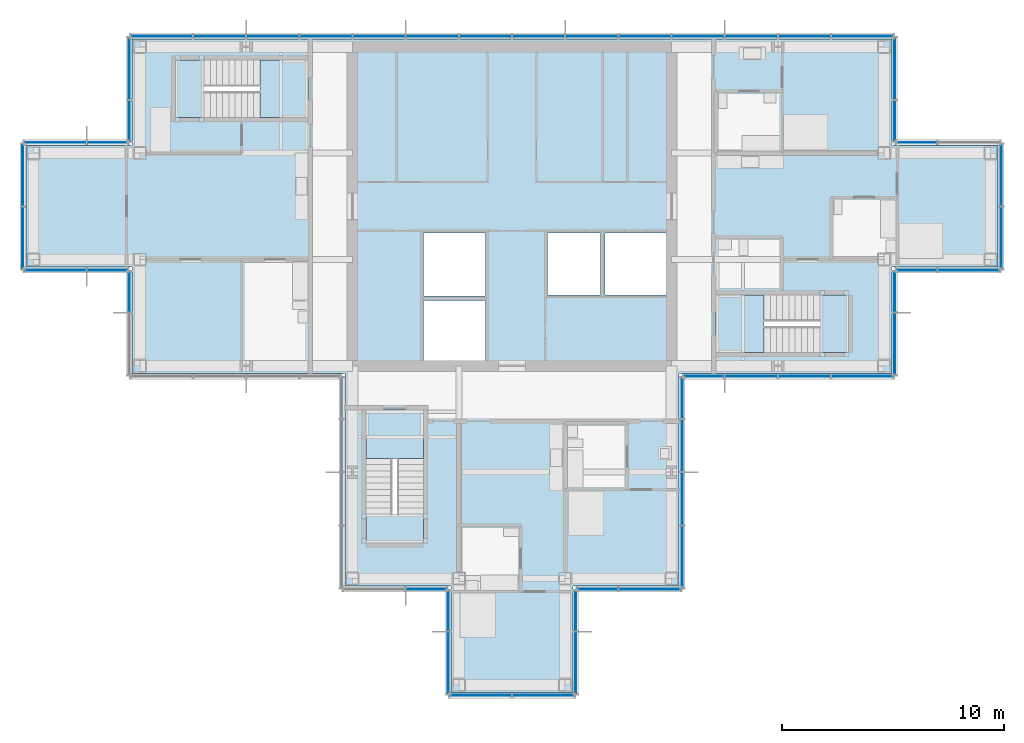
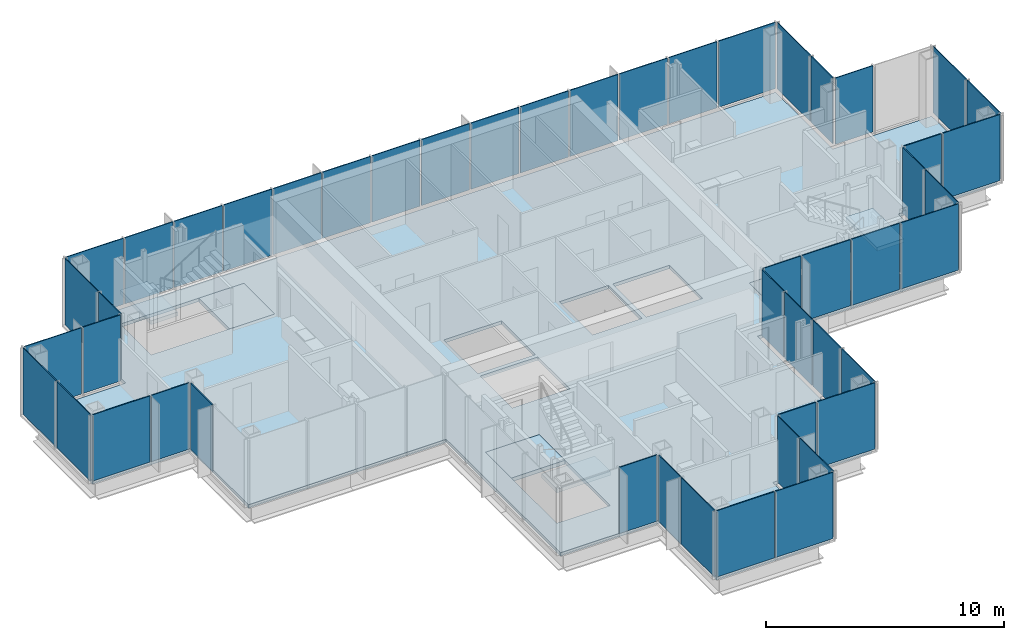
# One storey, part 9 of 15: 49 plates, 7 slabs, 21 elements without a shape of their own.
"""IFC4 building model written with IfcOpenShell, lengths in metres."""

from ifc_helpers import new_model, si_unit, direction, frame, origin, origin_2d, place, context, subcontext, project, spatial, polyline, rectangle, outline, extrude, material, layer, layer_set, type_object, element, aggregate, save


model = new_model("IFC4")

# Units and contexts
model_context = context("Model", 3, precision=1e-05, world=origin(), true_north=direction((0.0, 1.0)))
body_context = subcontext(model_context, "Body", "Model", "MODEL_VIEW")
ifc_project = project(units=[si_unit("LENGTHUNIT", "METRE"), si_unit("AREAUNIT", "SQUARE_METRE"), si_unit("VOLUMEUNIT", "CUBIC_METRE"), si_unit("PLANEANGLEUNIT", "RADIAN"), si_unit("MASSUNIT", "GRAM", prefix="KILO")], contexts=[model_context])

# Site, building, storey
site_placement = place(None, origin())
site = spatial("IfcSite", under=ifc_project, at=site_placement, CompositionType="ELEMENT")
building_placement = place(site_placement, origin())
building = spatial("IfcBuilding", under=site, at=building_placement, Name="Kvirike Care Tower", CompositionType="ELEMENT")
storey_placement = place(building_placement, frame((0.0, 0.0, 215.5)))
storey = spatial("IfcBuildingStorey", under=building, at=storey_placement, Name="L59", CompositionType="ELEMENT", Elevation=215.5)

# Slab
ifc_material_1 = material(Name="Concrete C35/45", Category="concrete")
ifc_layer_1 = layer(ifc_material_1, 0.169921875)
ifc_layer_set_1 = layer_set([ifc_layer_1], Name="FLOOR SLAB 170")
slab_type_1 = type_object("IfcSlabType", Name="FLOOR SLAB 170", PredefinedType="FLOOR", material=ifc_layer_set_1)
slab_1_placement = place(storey_placement, frame((0.0, 0.0, -0.169921875)))
element("IfcSlab", 1, at=slab_1_placement, inside=storey, type_object=slab_type_1, Name="Floor slab L59", PredefinedType="FLOOR", context=body_context, shape_type="SweptSolid", body=[
    extrude(outline(polyline([(29.14990234375, 28.449951171875), (38.75, 28.449951171875), (38.75, 33.25), (43.550048828125, 33.25), (43.550048828125, 38.75), (38.75, 38.75), (38.75, 43.550048828125), (4.449951171875, 43.550048828125), (4.449951171875, 38.75), (-0.35009765625, 38.75), (-0.35009765625, 33.25), (4.449951171875, 33.25), (4.449951171875, 28.449951171875), (14.050048828125, 28.449951171875), (14.050048828125, 18.85009765625), (18.85009765625, 18.85009765625), (18.85009765625, 14.050048828125), (24.35009765625, 14.050048828125), (24.35009765625, 18.85009765625), (29.14990234375, 18.85009765625), (29.14990234375, 28.449951171875)]), holes=[polyline([(17.60009765625, 29.050048828125), (17.60009765625, 31.75), (20.39990234375, 31.75), (20.39990234375, 29.050048828125), (17.60009765625, 29.050048828125)]), polyline([(17.60009765625, 31.949951171875), (17.60009765625, 34.800048828125), (20.39990234375, 34.800048828125), (20.39990234375, 31.949951171875), (17.60009765625, 31.949951171875)]), polyline([(23.199951171875, 32.0), (23.199951171875, 34.800048828125), (25.60009765625, 34.800048828125), (25.60009765625, 32.0), (23.199951171875, 32.0)]), polyline([(25.800048828125, 32.0), (25.800048828125, 34.800048828125), (28.550048828125, 34.800048828125), (28.550048828125, 32.0), (25.800048828125, 32.0)]), polyline([(12.39990234375, 42.60009765625), (12.39990234375, 40.0), (6.39990234375, 40.0), (6.39990234375, 42.60009765625), (12.39990234375, 42.60009765625)]), polyline([(30.800048828125, 29.39990234375), (30.800048828125, 32.0), (36.800048828125, 32.0), (36.800048828125, 29.39990234375), (30.800048828125, 29.39990234375)]), polyline([(15.0, 26.800048828125), (17.60009765625, 26.800048828125), (17.60009765625, 20.800048828125), (15.0, 20.800048828125), (15.0, 26.800048828125)])]), origin(), (0.0, 0.0, 1.0), 0.169921875),
])

# Stair, slabs
ifc_material_2 = material(Name="Concrete C35/45", Category="concrete")
stair_type = type_object("IfcStairType", Name="STAIR 20 RISERS", PredefinedType="HALF_TURN_STAIR", material=ifc_material_2)
stair_1_placement = place(storey_placement, origin())
stair_1 = element("IfcStair", 2, at=stair_1_placement, inside=storey, type_object=stair_type, Name="Stair 1 L59", PredefinedType="HALF_TURN_STAIR")
ifc_material_3 = material(Name="Concrete C35/45", Category="concrete")
ifc_layer_2 = layer(ifc_material_3, 0.199951171875)
ifc_layer_set_2 = layer_set([ifc_layer_2], Name="STAIR LANDING 200")
slab_type_2 = type_object("IfcSlabType", Name="STAIR LANDING 200", PredefinedType="LANDING", material=ifc_layer_set_2)
slab_2_placement = place(storey_placement, frame((0.0, 0.0, -0.199951171875)))
slab_2 = element("IfcSlab", 3, at=slab_2_placement, type_object=slab_type_2, Name="Stair S1 floor landing L59", PredefinedType="LANDING", context=body_context, shape_type="SweptSolid", body=[
    extrude(outline(polyline([(10.219970703125, 42.60009765625), (10.219970703125, 40.0), (12.39990234375, 40.0), (12.39990234375, 42.60009765625), (10.219970703125, 42.60009765625)])), origin(), (0.0, 0.0, 1.0), 0.199951171875),
])
slab_3_placement = place(storey_placement, frame((0.0, 0.0, 1.550048828125)))
slab_3 = element("IfcSlab", 4, at=slab_3_placement, type_object=slab_type_2, Name="Stair S1 half landing L59-L60", PredefinedType="LANDING", context=body_context, shape_type="SweptSolid", body=[
    extrude(outline(polyline([(6.39990234375, 42.60009765625), (6.39990234375, 40.0), (7.699951171875, 40.0), (7.699951171875, 42.60009765625), (6.39990234375, 42.60009765625)])), origin(), (0.0, 0.0, 1.0), 0.199951171875),
])
aggregate(stair_1, [slab_2, slab_3])

stair_2_placement = place(storey_placement, origin())
stair_2 = element("IfcStair", 5, at=stair_2_placement, inside=storey, type_object=stair_type, Name="Stair 2 L59", PredefinedType="HALF_TURN_STAIR")
slab_4_placement = place(storey_placement, frame((0.0, 0.0, -0.199951171875)))
slab_4 = element("IfcSlab", 6, at=slab_4_placement, type_object=slab_type_2, Name="Stair S2 floor landing L59", PredefinedType="LANDING", context=body_context, shape_type="SweptSolid", body=[
    extrude(outline(polyline([(32.97998046875, 29.39990234375), (32.97998046875, 32.0), (30.800048828125, 32.0), (30.800048828125, 29.39990234375), (32.97998046875, 29.39990234375)])), origin(), (0.0, 0.0, 1.0), 0.199951171875),
])
slab_5_placement = place(storey_placement, frame((0.0, 0.0, 1.550048828125)))
slab_5 = element("IfcSlab", 7, at=slab_5_placement, type_object=slab_type_2, Name="Stair S2 half landing L59-L60", PredefinedType="LANDING", context=body_context, shape_type="SweptSolid", body=[
    extrude(outline(polyline([(36.800048828125, 29.39990234375), (36.800048828125, 32.0), (35.5, 32.0), (35.5, 29.39990234375), (36.800048828125, 29.39990234375)])), origin(), (0.0, 0.0, 1.0), 0.199951171875),
])
aggregate(stair_2, [slab_4, slab_5])

stair_3_placement = place(storey_placement, origin())
stair_3 = element("IfcStair", 8, at=stair_3_placement, inside=storey, type_object=stair_type, Name="Stair 5 L59", PredefinedType="HALF_TURN_STAIR")
slab_6_placement = place(storey_placement, frame((0.0, 0.0, -0.199951171875)))
slab_6 = element("IfcSlab", 9, at=slab_6_placement, type_object=slab_type_2, Name="Stair S5 floor landing L59", PredefinedType="LANDING", context=body_context, shape_type="SweptSolid", body=[
    extrude(outline(polyline([(15.0, 24.6201171875), (17.60009765625, 24.6201171875), (17.60009765625, 26.800048828125), (15.0, 26.800048828125), (15.0, 24.6201171875)])), origin(), (0.0, 0.0, 1.0), 0.199951171875),
])
slab_7_placement = place(storey_placement, frame((0.0, 0.0, 1.550048828125)))
slab_7 = element("IfcSlab", 10, at=slab_7_placement, type_object=slab_type_2, Name="Stair S5 half landing L59-L60", PredefinedType="LANDING", context=body_context, shape_type="SweptSolid", body=[
    extrude(outline(polyline([(15.0, 20.800048828125), (17.60009765625, 20.800048828125), (17.60009765625, 22.10009765625), (15.0, 22.10009765625), (15.0, 20.800048828125)])), origin(), (0.0, 0.0, 1.0), 0.199951171875),
])
aggregate(stair_3, [slab_6, slab_7])

# Curtain wall, plates
ifc_material_4 = material(Name="Anodised aluminium stick system", Category="aluminium")
curtain_wall_type = type_object("IfcCurtainWallType", Name="CW-D STICK CURTAIN WALL", PredefinedType="NOTDEFINED", material=ifc_material_4)
curtain_wall_1_placement = place(storey_placement, origin())
curtain_wall_1 = element("IfcCurtainWall", 11, at=curtain_wall_1_placement, inside=storey, type_object=curtain_wall_type, Name="Curtain wall L59 face 1", PredefinedType="NOTDEFINED")
ifc_material_5 = material(Name="Tinted double glazed unit", Category="glass")
ifc_layer_3 = layer(ifc_material_5, 0.0439453125)
ifc_layer_set_3 = layer_set([ifc_layer_3], Name="TINTED VISION PANEL 44")
plate_type = type_object("IfcPlateType", Name="TINTED VISION PANEL 44", PredefinedType="CURTAIN_PANEL", material=ifc_layer_set_3)
plate_1_placement = place(storey_placement, frame((30.25634765625, 28.320068359375, 0.10009765625), z_axis=(0.0, 0.0, 1.0), x_axis=(1.0, 0.0, 0.0)))
plate_1 = element("IfcPlate", 12, at=plate_1_placement, type_object=plate_type, Name="CW-D panel L59 face 1.1", PredefinedType="CURTAIN_PANEL", context=body_context, shape_type="SweptSolid", body=[
    extrude(rectangle(XDim=1.822509765625, YDim=0.0439453125, at=origin_2d()), origin(), (0.0, 0.0, 1.0), 3.39990234375),
])
plate_2_placement = place(storey_placement, frame((32.39990234375, 28.320068359375, 0.10009765625), z_axis=(0.0, 0.0, 1.0), x_axis=(1.0, 0.0, 0.0)))
plate_2 = element("IfcPlate", 13, at=plate_2_placement, type_object=plate_type, Name="CW-D panel L59 face 1.2", PredefinedType="CURTAIN_PANEL", context=body_context, shape_type="SweptSolid", body=[
    extrude(rectangle(XDim=2.3349609375, YDim=0.0439453125, at=origin_2d()), origin(), (0.0, 0.0, 1.0), 3.39990234375),
])
plate_3_placement = place(storey_placement, frame((34.800048828125, 28.320068359375, 0.10009765625), z_axis=(0.0, 0.0, 1.0), x_axis=(1.0, 0.0, 0.0)))
plate_3 = element("IfcPlate", 14, at=plate_3_placement, type_object=plate_type, Name="CW-D panel L59 face 1.3", PredefinedType="CURTAIN_PANEL", context=body_context, shape_type="SweptSolid", body=[
    extrude(rectangle(XDim=2.3349609375, YDim=0.0439453125, at=origin_2d()), origin(), (0.0, 0.0, 1.0), 3.39990234375),
])
plate_4_placement = place(storey_placement, frame((37.423828125, 28.320068359375, 0.10009765625), z_axis=(0.0, 0.0, 1.0), x_axis=(1.0, 0.0, 0.0)))
plate_4 = element("IfcPlate", 15, at=plate_4_placement, type_object=plate_type, Name="CW-D panel L59 face 1.4", PredefinedType="CURTAIN_PANEL", context=body_context, shape_type="SweptSolid", body=[
    extrude(rectangle(XDim=2.782470703125, YDim=0.0439453125, at=origin_2d()), origin(), (0.0, 0.0, 1.0), 3.39990234375),
])
aggregate(curtain_wall_1, [plate_1, plate_2, plate_3, plate_4])

curtain_wall_2_placement = place(storey_placement, origin())
curtain_wall_2 = element("IfcCurtainWall", 16, at=curtain_wall_2_placement, inside=storey, type_object=curtain_wall_type, Name="Curtain wall L59 face 2", PredefinedType="NOTDEFINED")
plate_5_placement = place(storey_placement, frame((38.8798828125, 29.7763671875, 0.10009765625), z_axis=(0.0, 0.0, 1.0), x_axis=(0.0, 1.0, 0.0)))
plate_5 = element("IfcPlate", 17, at=plate_5_placement, type_object=plate_type, Name="CW-D panel L59 face 2.1", PredefinedType="CURTAIN_PANEL", context=body_context, shape_type="SweptSolid", body=[
    extrude(rectangle(XDim=2.782470703125, YDim=0.0439453125, at=origin_2d()), origin(), (0.0, 0.0, 1.0), 3.39990234375),
])
plate_6_placement = place(storey_placement, frame((38.8798828125, 32.143798828125, 0.10009765625), z_axis=(0.0, 0.0, 1.0), x_axis=(0.0, 1.0, 0.0)))
plate_6 = element("IfcPlate", 18, at=plate_6_placement, type_object=plate_type, Name="CW-D panel L59 face 2.2", PredefinedType="CURTAIN_PANEL", context=body_context, shape_type="SweptSolid", body=[
    extrude(rectangle(XDim=1.822509765625, YDim=0.0439453125, at=origin_2d()), origin(), (0.0, 0.0, 1.0), 3.39990234375),
])
aggregate(curtain_wall_2, [plate_5, plate_6])

curtain_wall_3_placement = place(storey_placement, origin())
curtain_wall_3 = element("IfcCurtainWall", 19, at=curtain_wall_3_placement, inside=storey, type_object=curtain_wall_type, Name="Curtain wall L59 face 3", PredefinedType="NOTDEFINED")
plate_7_placement = place(storey_placement, frame((39.856201171875, 33.1201171875, 0.10009765625), z_axis=(0.0, 0.0, 1.0), x_axis=(1.0, 0.0, 0.0)))
plate_7 = element("IfcPlate", 20, at=plate_7_placement, type_object=plate_type, Name="CW-D panel L59 face 3.1", PredefinedType="CURTAIN_PANEL", context=body_context, shape_type="SweptSolid", body=[
    extrude(rectangle(XDim=1.822509765625, YDim=0.0439453125, at=origin_2d()), origin(), (0.0, 0.0, 1.0), 3.39990234375),
])
plate_8_placement = place(storey_placement, frame((42.2236328125, 33.1201171875, 0.10009765625), z_axis=(0.0, 0.0, 1.0), x_axis=(1.0, 0.0, 0.0)))
plate_8 = element("IfcPlate", 21, at=plate_8_placement, type_object=plate_type, Name="CW-D panel L59 face 3.2", PredefinedType="CURTAIN_PANEL", context=body_context, shape_type="SweptSolid", body=[
    extrude(rectangle(XDim=2.782470703125, YDim=0.0439453125, at=origin_2d()), origin(), (0.0, 0.0, 1.0), 3.39990234375),
])
aggregate(curtain_wall_3, [plate_7, plate_8])

curtain_wall_4_placement = place(storey_placement, origin())
curtain_wall_4 = element("IfcCurtainWall", 22, at=curtain_wall_4_placement, inside=storey, type_object=curtain_wall_type, Name="Curtain wall L59 face 4", PredefinedType="NOTDEFINED")
plate_9_placement = place(storey_placement, frame((43.679931640625, 34.576171875, 0.10009765625), z_axis=(0.0, 0.0, 1.0), x_axis=(0.0, 1.0, 0.0)))
plate_9 = element("IfcPlate", 23, at=plate_9_placement, type_object=plate_type, Name="CW-D panel L59 face 4.1", PredefinedType="CURTAIN_PANEL", context=body_context, shape_type="SweptSolid", body=[
    extrude(rectangle(XDim=2.782470703125, YDim=0.0439453125, at=origin_2d()), origin(), (0.0, 0.0, 1.0), 3.39990234375),
])
plate_10_placement = place(storey_placement, frame((43.679931640625, 37.423828125, 0.10009765625), z_axis=(0.0, 0.0, 1.0), x_axis=(0.0, 1.0, 0.0)))
plate_10 = element("IfcPlate", 24, at=plate_10_placement, type_object=plate_type, Name="CW-D panel L59 face 4.2", PredefinedType="CURTAIN_PANEL", context=body_context, shape_type="SweptSolid", body=[
    extrude(rectangle(XDim=2.782470703125, YDim=0.0439453125, at=origin_2d()), origin(), (0.0, 0.0, 1.0), 3.39990234375),
])
aggregate(curtain_wall_4, [plate_9, plate_10])

# Curtain wall, plate
curtain_wall_5_placement = place(storey_placement, origin())
curtain_wall_5 = element("IfcCurtainWall", 25, at=curtain_wall_5_placement, inside=storey, type_object=curtain_wall_type, Name="Curtain wall L59 face 5", PredefinedType="NOTDEFINED")
plate_11_placement = place(storey_placement, frame((39.856201171875, 38.8798828125, 0.10009765625), z_axis=(0.0, 0.0, 1.0), x_axis=(-1.0, 0.0, 0.0)))
plate_11 = element("IfcPlate", 26, at=plate_11_placement, type_object=plate_type, Name="CW-D panel L59 face 5.2", PredefinedType="CURTAIN_PANEL", context=body_context, shape_type="SweptSolid", body=[
    extrude(rectangle(XDim=1.822509765625, YDim=0.0439453125, at=origin_2d()), origin(), (0.0, 0.0, 1.0), 3.39990234375),
])
aggregate(curtain_wall_5, [plate_11])

# Curtain wall, plates
curtain_wall_6_placement = place(storey_placement, origin())
curtain_wall_6 = element("IfcCurtainWall", 27, at=curtain_wall_6_placement, inside=storey, type_object=curtain_wall_type, Name="Curtain wall L59 face 6", PredefinedType="NOTDEFINED")
plate_12_placement = place(storey_placement, frame((38.8798828125, 39.856201171875, 0.10009765625), z_axis=(0.0, 0.0, 1.0), x_axis=(0.0, 1.0, 0.0)))
plate_12 = element("IfcPlate", 28, at=plate_12_placement, type_object=plate_type, Name="CW-D panel L59 face 6.1", PredefinedType="CURTAIN_PANEL", context=body_context, shape_type="SweptSolid", body=[
    extrude(rectangle(XDim=1.822509765625, YDim=0.0439453125, at=origin_2d()), origin(), (0.0, 0.0, 1.0), 3.39990234375),
])
plate_13_placement = place(storey_placement, frame((38.8798828125, 42.2236328125, 0.10009765625), z_axis=(0.0, 0.0, 1.0), x_axis=(0.0, 1.0, 0.0)))
plate_13 = element("IfcPlate", 29, at=plate_13_placement, type_object=plate_type, Name="CW-D panel L59 face 6.2", PredefinedType="CURTAIN_PANEL", context=body_context, shape_type="SweptSolid", body=[
    extrude(rectangle(XDim=2.782470703125, YDim=0.0439453125, at=origin_2d()), origin(), (0.0, 0.0, 1.0), 3.39990234375),
])
aggregate(curtain_wall_6, [plate_12, plate_13])

curtain_wall_7_placement = place(storey_placement, origin())
curtain_wall_7 = element("IfcCurtainWall", 30, at=curtain_wall_7_placement, inside=storey, type_object=curtain_wall_type, Name="Curtain wall L59 face 7", PredefinedType="NOTDEFINED")
plate_14_placement = place(storey_placement, frame((37.423828125, 43.679931640625, 0.10009765625), z_axis=(0.0, 0.0, 1.0), x_axis=(-1.0, 0.0, 0.0)))
plate_14 = element("IfcPlate", 31, at=plate_14_placement, type_object=plate_type, Name="CW-D panel L59 face 7.1", PredefinedType="CURTAIN_PANEL", context=body_context, shape_type="SweptSolid", body=[
    extrude(rectangle(XDim=2.782470703125, YDim=0.0439453125, at=origin_2d()), origin(), (0.0, 0.0, 1.0), 3.39990234375),
])
plate_15_placement = place(storey_placement, frame((34.800048828125, 43.679931640625, 0.10009765625), z_axis=(0.0, 0.0, 1.0), x_axis=(-1.0, 0.0, 0.0)))
plate_15 = element("IfcPlate", 32, at=plate_15_placement, type_object=plate_type, Name="CW-D panel L59 face 7.2", PredefinedType="CURTAIN_PANEL", context=body_context, shape_type="SweptSolid", body=[
    extrude(rectangle(XDim=2.3349609375, YDim=0.0439453125, at=origin_2d()), origin(), (0.0, 0.0, 1.0), 3.39990234375),
])
plate_16_placement = place(storey_placement, frame((32.39990234375, 43.679931640625, 0.10009765625), z_axis=(0.0, 0.0, 1.0), x_axis=(-1.0, 0.0, 0.0)))
plate_16 = element("IfcPlate", 33, at=plate_16_placement, type_object=plate_type, Name="CW-D panel L59 face 7.3", PredefinedType="CURTAIN_PANEL", context=body_context, shape_type="SweptSolid", body=[
    extrude(rectangle(XDim=2.3349609375, YDim=0.0439453125, at=origin_2d()), origin(), (0.0, 0.0, 1.0), 3.39990234375),
])
plate_17_placement = place(storey_placement, frame((30.0, 43.679931640625, 0.10009765625), z_axis=(0.0, 0.0, 1.0), x_axis=(-1.0, 0.0, 0.0)))
plate_17 = element("IfcPlate", 34, at=plate_17_placement, type_object=plate_type, Name="CW-D panel L59 face 7.4", PredefinedType="CURTAIN_PANEL", context=body_context, shape_type="SweptSolid", body=[
    extrude(rectangle(XDim=2.3349609375, YDim=0.0439453125, at=origin_2d()), origin(), (0.0, 0.0, 1.0), 3.39990234375),
])
plate_18_placement = place(storey_placement, frame((27.60009765625, 43.679931640625, 0.10009765625), z_axis=(0.0, 0.0, 1.0), x_axis=(-1.0, 0.0, 0.0)))
plate_18 = element("IfcPlate", 35, at=plate_18_placement, type_object=plate_type, Name="CW-D panel L59 face 7.5", PredefinedType="CURTAIN_PANEL", context=body_context, shape_type="SweptSolid", body=[
    extrude(rectangle(XDim=2.3349609375, YDim=0.0439453125, at=origin_2d()), origin(), (0.0, 0.0, 1.0), 3.39990234375),
])
plate_19_placement = place(storey_placement, frame((25.199951171875, 43.679931640625, 0.10009765625), z_axis=(0.0, 0.0, 1.0), x_axis=(-1.0, 0.0, 0.0)))
plate_19 = element("IfcPlate", 36, at=plate_19_placement, type_object=plate_type, Name="CW-D panel L59 face 7.6", PredefinedType="CURTAIN_PANEL", context=body_context, shape_type="SweptSolid", body=[
    extrude(rectangle(XDim=2.3349609375, YDim=0.0439453125, at=origin_2d()), origin(), (0.0, 0.0, 1.0), 3.39990234375),
])
plate_20_placement = place(storey_placement, frame((22.800048828125, 43.679931640625, 0.10009765625), z_axis=(0.0, 0.0, 1.0), x_axis=(-1.0, 0.0, 0.0)))
plate_20 = element("IfcPlate", 37, at=plate_20_placement, type_object=plate_type, Name="CW-D panel L59 face 7.7", PredefinedType="CURTAIN_PANEL", context=body_context, shape_type="SweptSolid", body=[
    extrude(rectangle(XDim=2.3349609375, YDim=0.0439453125, at=origin_2d()), origin(), (0.0, 0.0, 1.0), 3.39990234375),
])
plate_21_placement = place(storey_placement, frame((20.39990234375, 43.679931640625, 0.10009765625), z_axis=(0.0, 0.0, 1.0), x_axis=(-1.0, 0.0, 0.0)))
plate_21 = element("IfcPlate", 38, at=plate_21_placement, type_object=plate_type, Name="CW-D panel L59 face 7.8", PredefinedType="CURTAIN_PANEL", context=body_context, shape_type="SweptSolid", body=[
    extrude(rectangle(XDim=2.3349609375, YDim=0.0439453125, at=origin_2d()), origin(), (0.0, 0.0, 1.0), 3.39990234375),
])
plate_22_placement = place(storey_placement, frame((18.0, 43.679931640625, 0.10009765625), z_axis=(0.0, 0.0, 1.0), x_axis=(-1.0, 0.0, 0.0)))
plate_22 = element("IfcPlate", 39, at=plate_22_placement, type_object=plate_type, Name="CW-D panel L59 face 7.9", PredefinedType="CURTAIN_PANEL", context=body_context, shape_type="SweptSolid", body=[
    extrude(rectangle(XDim=2.3349609375, YDim=0.0439453125, at=origin_2d()), origin(), (0.0, 0.0, 1.0), 3.39990234375),
])
plate_23_placement = place(storey_placement, frame((15.60009765625, 43.679931640625, 0.10009765625), z_axis=(0.0, 0.0, 1.0), x_axis=(-1.0, 0.0, 0.0)))
plate_23 = element("IfcPlate", 40, at=plate_23_placement, type_object=plate_type, Name="CW-D panel L59 face 7.10", PredefinedType="CURTAIN_PANEL", context=body_context, shape_type="SweptSolid", body=[
    extrude(rectangle(XDim=2.3349609375, YDim=0.0439453125, at=origin_2d()), origin(), (0.0, 0.0, 1.0), 3.39990234375),
])
plate_24_placement = place(storey_placement, frame((13.199951171875, 43.679931640625, 0.10009765625), z_axis=(0.0, 0.0, 1.0), x_axis=(-1.0, 0.0, 0.0)))
plate_24 = element("IfcPlate", 41, at=plate_24_placement, type_object=plate_type, Name="CW-D panel L59 face 7.11", PredefinedType="CURTAIN_PANEL", context=body_context, shape_type="SweptSolid", body=[
    extrude(rectangle(XDim=2.3349609375, YDim=0.0439453125, at=origin_2d()), origin(), (0.0, 0.0, 1.0), 3.39990234375),
])
plate_25_placement = place(storey_placement, frame((10.800048828125, 43.679931640625, 0.10009765625), z_axis=(0.0, 0.0, 1.0), x_axis=(-1.0, 0.0, 0.0)))
plate_25 = element("IfcPlate", 42, at=plate_25_placement, type_object=plate_type, Name="CW-D panel L59 face 7.12", PredefinedType="CURTAIN_PANEL", context=body_context, shape_type="SweptSolid", body=[
    extrude(rectangle(XDim=2.3349609375, YDim=0.0439453125, at=origin_2d()), origin(), (0.0, 0.0, 1.0), 3.39990234375),
])
plate_26_placement = place(storey_placement, frame((8.39990234375, 43.679931640625, 0.10009765625), z_axis=(0.0, 0.0, 1.0), x_axis=(-1.0, 0.0, 0.0)))
plate_26 = element("IfcPlate", 43, at=plate_26_placement, type_object=plate_type, Name="CW-D panel L59 face 7.13", PredefinedType="CURTAIN_PANEL", context=body_context, shape_type="SweptSolid", body=[
    extrude(rectangle(XDim=2.3349609375, YDim=0.0439453125, at=origin_2d()), origin(), (0.0, 0.0, 1.0), 3.39990234375),
])
plate_27_placement = place(storey_placement, frame((5.7763671875, 43.679931640625, 0.10009765625), z_axis=(0.0, 0.0, 1.0), x_axis=(-1.0, 0.0, 0.0)))
plate_27 = element("IfcPlate", 44, at=plate_27_placement, type_object=plate_type, Name="CW-D panel L59 face 7.14", PredefinedType="CURTAIN_PANEL", context=body_context, shape_type="SweptSolid", body=[
    extrude(rectangle(XDim=2.782470703125, YDim=0.0439453125, at=origin_2d()), origin(), (0.0, 0.0, 1.0), 3.39990234375),
])
aggregate(curtain_wall_7, [plate_14, plate_15, plate_16, plate_17, plate_18, plate_19, plate_20, plate_21, plate_22, plate_23, plate_24, plate_25, plate_26, plate_27])

curtain_wall_8_placement = place(storey_placement, origin())
curtain_wall_8 = element("IfcCurtainWall", 45, at=curtain_wall_8_placement, inside=storey, type_object=curtain_wall_type, Name="Curtain wall L59 face 8", PredefinedType="NOTDEFINED")
plate_28_placement = place(storey_placement, frame((4.320068359375, 42.2236328125, 0.10009765625), z_axis=(0.0, 0.0, 1.0), x_axis=(0.0, -1.0, 0.0)))
plate_28 = element("IfcPlate", 46, at=plate_28_placement, type_object=plate_type, Name="CW-D panel L59 face 8.1", PredefinedType="CURTAIN_PANEL", context=body_context, shape_type="SweptSolid", body=[
    extrude(rectangle(XDim=2.782470703125, YDim=0.0439453125, at=origin_2d()), origin(), (0.0, 0.0, 1.0), 3.39990234375),
])
plate_29_placement = place(storey_placement, frame((4.320068359375, 39.856201171875, 0.10009765625), z_axis=(0.0, 0.0, 1.0), x_axis=(0.0, -1.0, 0.0)))
plate_29 = element("IfcPlate", 47, at=plate_29_placement, type_object=plate_type, Name="CW-D panel L59 face 8.2", PredefinedType="CURTAIN_PANEL", context=body_context, shape_type="SweptSolid", body=[
    extrude(rectangle(XDim=1.822509765625, YDim=0.0439453125, at=origin_2d()), origin(), (0.0, 0.0, 1.0), 3.39990234375),
])
aggregate(curtain_wall_8, [plate_28, plate_29])

curtain_wall_9_placement = place(storey_placement, origin())
curtain_wall_9 = element("IfcCurtainWall", 48, at=curtain_wall_9_placement, inside=storey, type_object=curtain_wall_type, Name="Curtain wall L59 face 9", PredefinedType="NOTDEFINED")
plate_30_placement = place(storey_placement, frame((3.34375, 38.8798828125, 0.10009765625), z_axis=(0.0, 0.0, 1.0), x_axis=(-1.0, 0.0, 0.0)))
plate_30 = element("IfcPlate", 49, at=plate_30_placement, type_object=plate_type, Name="CW-D panel L59 face 9.1", PredefinedType="CURTAIN_PANEL", context=body_context, shape_type="SweptSolid", body=[
    extrude(rectangle(XDim=1.822509765625, YDim=0.0439453125, at=origin_2d()), origin(), (0.0, 0.0, 1.0), 3.39990234375),
])
plate_31_placement = place(storey_placement, frame((0.976318359375, 38.8798828125, 0.10009765625), z_axis=(0.0, 0.0, 1.0), x_axis=(-1.0, 0.0, 0.0)))
plate_31 = element("IfcPlate", 50, at=plate_31_placement, type_object=plate_type, Name="CW-D panel L59 face 9.2", PredefinedType="CURTAIN_PANEL", context=body_context, shape_type="SweptSolid", body=[
    extrude(rectangle(XDim=2.782470703125, YDim=0.0439453125, at=origin_2d()), origin(), (0.0, 0.0, 1.0), 3.39990234375),
])
aggregate(curtain_wall_9, [plate_30, plate_31])

curtain_wall_10_placement = place(storey_placement, origin())
curtain_wall_10 = element("IfcCurtainWall", 51, at=curtain_wall_10_placement, inside=storey, type_object=curtain_wall_type, Name="Curtain wall L59 face 10", PredefinedType="NOTDEFINED")
plate_32_placement = place(storey_placement, frame((-0.47998046875, 37.423828125, 0.10009765625), z_axis=(0.0, 0.0, 1.0), x_axis=(0.0, -1.0, 0.0)))
plate_32 = element("IfcPlate", 52, at=plate_32_placement, type_object=plate_type, Name="CW-D panel L59 face 10.1", PredefinedType="CURTAIN_PANEL", context=body_context, shape_type="SweptSolid", body=[
    extrude(rectangle(XDim=2.782470703125, YDim=0.0439453125, at=origin_2d()), origin(), (0.0, 0.0, 1.0), 3.39990234375),
])
plate_33_placement = place(storey_placement, frame((-0.47998046875, 34.576171875, 0.10009765625), z_axis=(0.0, 0.0, 1.0), x_axis=(0.0, -1.0, 0.0)))
plate_33 = element("IfcPlate", 53, at=plate_33_placement, type_object=plate_type, Name="CW-D panel L59 face 10.2", PredefinedType="CURTAIN_PANEL", context=body_context, shape_type="SweptSolid", body=[
    extrude(rectangle(XDim=2.782470703125, YDim=0.0439453125, at=origin_2d()), origin(), (0.0, 0.0, 1.0), 3.39990234375),
])
aggregate(curtain_wall_10, [plate_32, plate_33])

curtain_wall_11_placement = place(storey_placement, origin())
curtain_wall_11 = element("IfcCurtainWall", 54, at=curtain_wall_11_placement, inside=storey, type_object=curtain_wall_type, Name="Curtain wall L59 face 11", PredefinedType="NOTDEFINED")
plate_34_placement = place(storey_placement, frame((0.976318359375, 33.1201171875, 0.10009765625), z_axis=(0.0, 0.0, 1.0), x_axis=(1.0, 0.0, 0.0)))
plate_34 = element("IfcPlate", 55, at=plate_34_placement, type_object=plate_type, Name="CW-D panel L59 face 11.1", PredefinedType="CURTAIN_PANEL", context=body_context, shape_type="SweptSolid", body=[
    extrude(rectangle(XDim=2.782470703125, YDim=0.0439453125, at=origin_2d()), origin(), (0.0, 0.0, 1.0), 3.39990234375),
])
plate_35_placement = place(storey_placement, frame((3.34375, 33.1201171875, 0.10009765625), z_axis=(0.0, 0.0, 1.0), x_axis=(1.0, 0.0, 0.0)))
plate_35 = element("IfcPlate", 56, at=plate_35_placement, type_object=plate_type, Name="CW-D panel L59 face 11.2", PredefinedType="CURTAIN_PANEL", context=body_context, shape_type="SweptSolid", body=[
    extrude(rectangle(XDim=1.822509765625, YDim=0.0439453125, at=origin_2d()), origin(), (0.0, 0.0, 1.0), 3.39990234375),
])
aggregate(curtain_wall_11, [plate_34, plate_35])

# Curtain wall, plate
curtain_wall_12_placement = place(storey_placement, origin())
curtain_wall_12 = element("IfcCurtainWall", 57, at=curtain_wall_12_placement, inside=storey, type_object=curtain_wall_type, Name="Curtain wall L59 face 12", PredefinedType="NOTDEFINED")
plate_36_placement = place(storey_placement, frame((4.320068359375, 32.143798828125, 0.10009765625), z_axis=(0.0, 0.0, 1.0), x_axis=(0.0, -1.0, 0.0)))
plate_36 = element("IfcPlate", 58, at=plate_36_placement, type_object=plate_type, Name="CW-D panel L59 face 12.1", PredefinedType="CURTAIN_PANEL", context=body_context, shape_type="SweptSolid", body=[
    extrude(rectangle(XDim=1.822509765625, YDim=0.0439453125, at=origin_2d()), origin(), (0.0, 0.0, 1.0), 3.39990234375),
])
aggregate(curtain_wall_12, [plate_36])

curtain_wall_13_placement = place(storey_placement, origin())
curtain_wall_13 = element("IfcCurtainWall", 59, at=curtain_wall_13_placement, inside=storey, type_object=curtain_wall_type, Name="Curtain wall L59 face 15", PredefinedType="NOTDEFINED")
plate_37_placement = place(storey_placement, frame((17.74365234375, 18.719970703125, 0.10009765625), z_axis=(0.0, 0.0, 1.0), x_axis=(1.0, 0.0, 0.0)))
plate_37 = element("IfcPlate", 60, at=plate_37_placement, type_object=plate_type, Name="CW-D panel L59 face 15.2", PredefinedType="CURTAIN_PANEL", context=body_context, shape_type="SweptSolid", body=[
    extrude(rectangle(XDim=1.822509765625, YDim=0.0439453125, at=origin_2d()), origin(), (0.0, 0.0, 1.0), 3.39990234375),
])
aggregate(curtain_wall_13, [plate_37])

# Curtain wall, plates
curtain_wall_14_placement = place(storey_placement, origin())
curtain_wall_14 = element("IfcCurtainWall", 61, at=curtain_wall_14_placement, inside=storey, type_object=curtain_wall_type, Name="Curtain wall L59 face 16", PredefinedType="NOTDEFINED")
plate_38_placement = place(storey_placement, frame((18.719970703125, 17.74365234375, 0.10009765625), z_axis=(0.0, 0.0, 1.0), x_axis=(0.0, -1.0, 0.0)))
plate_38 = element("IfcPlate", 62, at=plate_38_placement, type_object=plate_type, Name="CW-D panel L59 face 16.1", PredefinedType="CURTAIN_PANEL", context=body_context, shape_type="SweptSolid", body=[
    extrude(rectangle(XDim=1.822509765625, YDim=0.0439453125, at=origin_2d()), origin(), (0.0, 0.0, 1.0), 3.39990234375),
])
plate_39_placement = place(storey_placement, frame((18.719970703125, 15.376220703125, 0.10009765625), z_axis=(0.0, 0.0, 1.0), x_axis=(0.0, -1.0, 0.0)))
plate_39 = element("IfcPlate", 63, at=plate_39_placement, type_object=plate_type, Name="CW-D panel L59 face 16.2", PredefinedType="CURTAIN_PANEL", context=body_context, shape_type="SweptSolid", body=[
    extrude(rectangle(XDim=2.782470703125, YDim=0.0439453125, at=origin_2d()), origin(), (0.0, 0.0, 1.0), 3.39990234375),
])
aggregate(curtain_wall_14, [plate_38, plate_39])

curtain_wall_15_placement = place(storey_placement, origin())
curtain_wall_15 = element("IfcCurtainWall", 64, at=curtain_wall_15_placement, inside=storey, type_object=curtain_wall_type, Name="Curtain wall L59 face 17", PredefinedType="NOTDEFINED")
plate_40_placement = place(storey_placement, frame((20.17626953125, 13.919921875, 0.10009765625), z_axis=(0.0, 0.0, 1.0), x_axis=(1.0, 0.0, 0.0)))
plate_40 = element("IfcPlate", 65, at=plate_40_placement, type_object=plate_type, Name="CW-D panel L59 face 17.1", PredefinedType="CURTAIN_PANEL", context=body_context, shape_type="SweptSolid", body=[
    extrude(rectangle(XDim=2.782470703125, YDim=0.0439453125, at=origin_2d()), origin(), (0.0, 0.0, 1.0), 3.39990234375),
])
plate_41_placement = place(storey_placement, frame((23.023681640625, 13.919921875, 0.10009765625), z_axis=(0.0, 0.0, 1.0), x_axis=(1.0, 0.0, 0.0)))
plate_41 = element("IfcPlate", 66, at=plate_41_placement, type_object=plate_type, Name="CW-D panel L59 face 17.2", PredefinedType="CURTAIN_PANEL", context=body_context, shape_type="SweptSolid", body=[
    extrude(rectangle(XDim=2.782470703125, YDim=0.0439453125, at=origin_2d()), origin(), (0.0, 0.0, 1.0), 3.39990234375),
])
aggregate(curtain_wall_15, [plate_40, plate_41])

curtain_wall_16_placement = place(storey_placement, origin())
curtain_wall_16 = element("IfcCurtainWall", 67, at=curtain_wall_16_placement, inside=storey, type_object=curtain_wall_type, Name="Curtain wall L59 face 18", PredefinedType="NOTDEFINED")
plate_42_placement = place(storey_placement, frame((24.47998046875, 15.376220703125, 0.10009765625), z_axis=(0.0, 0.0, 1.0), x_axis=(0.0, 1.0, 0.0)))
plate_42 = element("IfcPlate", 68, at=plate_42_placement, type_object=plate_type, Name="CW-D panel L59 face 18.1", PredefinedType="CURTAIN_PANEL", context=body_context, shape_type="SweptSolid", body=[
    extrude(rectangle(XDim=2.782470703125, YDim=0.0439453125, at=origin_2d()), origin(), (0.0, 0.0, 1.0), 3.39990234375),
])
plate_43_placement = place(storey_placement, frame((24.47998046875, 17.74365234375, 0.10009765625), z_axis=(0.0, 0.0, 1.0), x_axis=(0.0, 1.0, 0.0)))
plate_43 = element("IfcPlate", 69, at=plate_43_placement, type_object=plate_type, Name="CW-D panel L59 face 18.2", PredefinedType="CURTAIN_PANEL", context=body_context, shape_type="SweptSolid", body=[
    extrude(rectangle(XDim=1.822509765625, YDim=0.0439453125, at=origin_2d()), origin(), (0.0, 0.0, 1.0), 3.39990234375),
])
aggregate(curtain_wall_16, [plate_42, plate_43])

curtain_wall_17_placement = place(storey_placement, origin())
curtain_wall_17 = element("IfcCurtainWall", 70, at=curtain_wall_17_placement, inside=storey, type_object=curtain_wall_type, Name="Curtain wall L59 face 19", PredefinedType="NOTDEFINED")
plate_44_placement = place(storey_placement, frame((25.456298828125, 18.719970703125, 0.10009765625), z_axis=(0.0, 0.0, 1.0), x_axis=(1.0, 0.0, 0.0)))
plate_44 = element("IfcPlate", 71, at=plate_44_placement, type_object=plate_type, Name="CW-D panel L59 face 19.1", PredefinedType="CURTAIN_PANEL", context=body_context, shape_type="SweptSolid", body=[
    extrude(rectangle(XDim=1.822509765625, YDim=0.0439453125, at=origin_2d()), origin(), (0.0, 0.0, 1.0), 3.39990234375),
])
plate_45_placement = place(storey_placement, frame((27.82373046875, 18.719970703125, 0.10009765625), z_axis=(0.0, 0.0, 1.0), x_axis=(1.0, 0.0, 0.0)))
plate_45 = element("IfcPlate", 72, at=plate_45_placement, type_object=plate_type, Name="CW-D panel L59 face 19.2", PredefinedType="CURTAIN_PANEL", context=body_context, shape_type="SweptSolid", body=[
    extrude(rectangle(XDim=2.782470703125, YDim=0.0439453125, at=origin_2d()), origin(), (0.0, 0.0, 1.0), 3.39990234375),
])
aggregate(curtain_wall_17, [plate_44, plate_45])

curtain_wall_18_placement = place(storey_placement, origin())
curtain_wall_18 = element("IfcCurtainWall", 73, at=curtain_wall_18_placement, inside=storey, type_object=curtain_wall_type, Name="Curtain wall L59 face 20", PredefinedType="NOTDEFINED")
plate_46_placement = place(storey_placement, frame((29.280029296875, 20.17626953125, 0.10009765625), z_axis=(0.0, 0.0, 1.0), x_axis=(0.0, 1.0, 0.0)))
plate_46 = element("IfcPlate", 74, at=plate_46_placement, type_object=plate_type, Name="CW-D panel L59 face 20.1", PredefinedType="CURTAIN_PANEL", context=body_context, shape_type="SweptSolid", body=[
    extrude(rectangle(XDim=2.782470703125, YDim=0.0439453125, at=origin_2d()), origin(), (0.0, 0.0, 1.0), 3.39990234375),
])
plate_47_placement = place(storey_placement, frame((29.280029296875, 22.800048828125, 0.10009765625), z_axis=(0.0, 0.0, 1.0), x_axis=(0.0, 1.0, 0.0)))
plate_47 = element("IfcPlate", 75, at=plate_47_placement, type_object=plate_type, Name="CW-D panel L59 face 20.2", PredefinedType="CURTAIN_PANEL", context=body_context, shape_type="SweptSolid", body=[
    extrude(rectangle(XDim=2.3349609375, YDim=0.0439453125, at=origin_2d()), origin(), (0.0, 0.0, 1.0), 3.39990234375),
])
plate_48_placement = place(storey_placement, frame((29.280029296875, 25.199951171875, 0.10009765625), z_axis=(0.0, 0.0, 1.0), x_axis=(0.0, 1.0, 0.0)))
plate_48 = element("IfcPlate", 76, at=plate_48_placement, type_object=plate_type, Name="CW-D panel L59 face 20.3", PredefinedType="CURTAIN_PANEL", context=body_context, shape_type="SweptSolid", body=[
    extrude(rectangle(XDim=2.3349609375, YDim=0.0439453125, at=origin_2d()), origin(), (0.0, 0.0, 1.0), 3.39990234375),
])
plate_49_placement = place(storey_placement, frame((29.280029296875, 27.34375, 0.10009765625), z_axis=(0.0, 0.0, 1.0), x_axis=(0.0, 1.0, 0.0)))
plate_49 = element("IfcPlate", 77, at=plate_49_placement, type_object=plate_type, Name="CW-D panel L59 face 20.4", PredefinedType="CURTAIN_PANEL", context=body_context, shape_type="SweptSolid", body=[
    extrude(rectangle(XDim=1.822509765625, YDim=0.0439453125, at=origin_2d()), origin(), (0.0, 0.0, 1.0), 3.39990234375),
])
aggregate(curtain_wall_18, [plate_46, plate_47, plate_48, plate_49])

save(model, "model.ifc")
